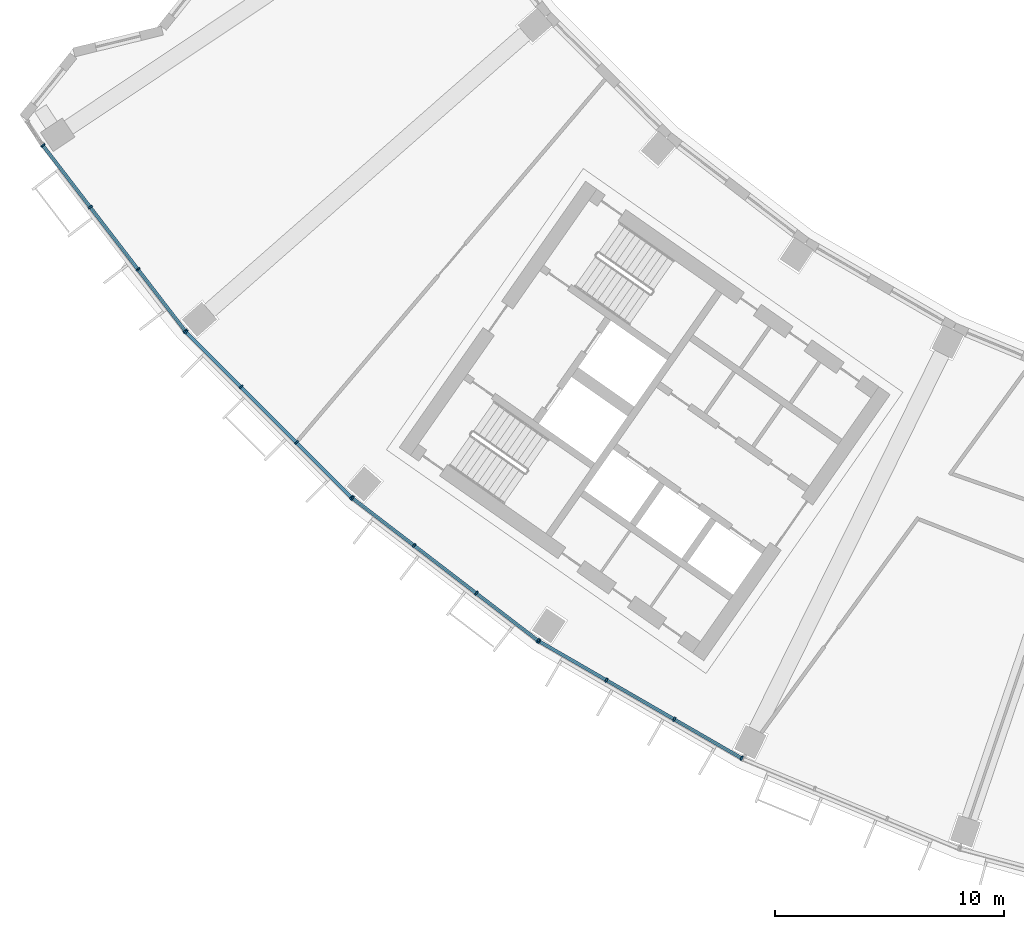
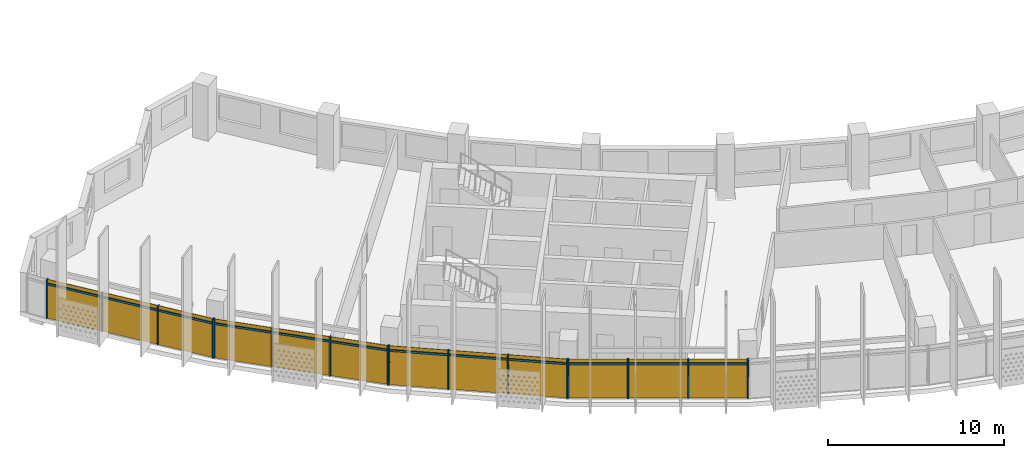
# One storey, part 16 of 30: 28 members, 4 curtain walls.
"""IFC4 building model written with IfcOpenShell, lengths in metres."""

import ifcopenshell
import ifcopenshell.guid

model = None  # the IFC model being written
_history = None  # IfcOwnerHistory: only IFC2X3 demands one
_inside = {}  # id of a spatial element -> (the spatial element, [elements in it])
_under = {}  # id of a project, library or spatial element -> (it, [spatial elements below it])
_declared = {}  # id of a project -> (the project, [libraries it declares])
_typed = {}  # id of a type object -> (the type object, [elements of that type])
_made_of = {}  # id of a material, layer set ... -> (it, [elements and type objects made of it])


def new_model(schema):
    """Start an empty IFC model of exactly this schema.

    Asked for "IFC4X3", IfcOpenShell would pick the latest addendum, in which some entities
    have other attributes; the version numbers below select the first issue.
    IFC2X3 requires an IfcOwnerHistory on every rooted entity: one is made here for all.
    """
    global model, _history
    if schema == "IFC4X3":
        model = ifcopenshell.file(schema_version=(4, 3, 0, 0))
    else:
        model = ifcopenshell.file(schema=schema)
    _inside.clear()
    _under.clear()
    _declared.clear()
    _typed.clear()
    _made_of.clear()
    _history = None
    if model.schema == "IFC2X3":
        org = make("IfcOrganization", Name="unknown")
        user = make(
            "IfcPersonAndOrganization",
            ThePerson=make("IfcPerson", FamilyName="unknown"),
            TheOrganization=org,
        )
        app = make(
            "IfcApplication",
            ApplicationDeveloper=org,
            Version="unknown",
            ApplicationFullName="unknown",
            ApplicationIdentifier="unknown",
        )
        _history = make(
            "IfcOwnerHistory",
            OwningUser=user,
            OwningApplication=app,
            ChangeAction="ADDED",
            CreationDate=0,
        )
    return model


def make(cls, **values):
    """One entity of the class cls with the attributes given. An attribute that is None is left unset."""
    return model.create_entity(
        cls, **{name: value for name, value in values.items() if value is not None}
    )


def rooted(cls, **values):
    """An entity with a GlobalId (a new one), such as an element, a storey or a relation."""
    return make(cls, GlobalId=ifcopenshell.guid.new(), OwnerHistory=_history, **values)


def si_unit(unit_type, name, prefix=None):
    """IfcSIUnit, for example si_unit("LENGTHUNIT", "METRE", prefix="MILLI")."""
    return make("IfcSIUnit", UnitType=unit_type, Prefix=prefix, Name=name)


def assignment(units):
    """IfcUnitAssignment: the units of a project."""
    return None if units is None else make("IfcUnitAssignment", Units=units)


def point(xyz):
    """IfcCartesianPoint."""
    return None if xyz is None else make("IfcCartesianPoint", Coordinates=xyz)


def direction(xyz):
    """IfcDirection."""
    return None if xyz is None else make("IfcDirection", DirectionRatios=xyz)


def frame(location, z_axis=None, x_axis=None):
    """IfcAxis2Placement3D, a coordinate frame: its origin and axes. An axis left out is left unset."""
    return make(
        "IfcAxis2Placement3D",
        Location=point(location),
        Axis=direction(z_axis),
        RefDirection=direction(x_axis),
    )


def frame_2d(location, x_axis=None):
    """IfcAxis2Placement2D, a coordinate frame in the plane: its origin and x axis."""
    return make(
        "IfcAxis2Placement2D", Location=point(location), RefDirection=direction(x_axis)
    )


def origin():
    """The frame at (0, 0, 0) with its axes left unset."""
    return frame((0.0, 0.0, 0.0))


def origin_2d():
    """The frame at (0, 0) in the plane with its x axis left unset."""
    return frame_2d((0.0, 0.0))


def place(relative_to, where):
    """IfcLocalPlacement: puts the frame where relative to a parent placement (None: the world)."""
    return make(
        "IfcLocalPlacement", PlacementRelTo=relative_to, RelativePlacement=where
    )


def context(
    kind, dimensions, precision=None, world=None, true_north=None, identifier=None
):
    """IfcGeometricRepresentationContext, for example the 3D "Model" context."""
    return make(
        "IfcGeometricRepresentationContext",
        ContextIdentifier=identifier,
        ContextType=kind,
        CoordinateSpaceDimension=dimensions,
        Precision=precision,
        WorldCoordinateSystem=world,
        TrueNorth=true_north,
    )


def subcontext(parent, identifier, kind, view, scale=None):
    """IfcGeometricRepresentationSubContext, for example "Body" below "Model"."""
    return make(
        "IfcGeometricRepresentationSubContext",
        ContextIdentifier=identifier,
        ContextType=kind,
        ParentContext=parent,
        TargetScale=scale,
        TargetView=view,
    )


def project(units=None, contexts=None):
    """IfcProject with its units and contexts."""
    return rooted(
        "IfcProject",
        Name="project",
        RepresentationContexts=contexts,
        UnitsInContext=assignment(units),
    )


def spatial(cls, under=None, at=None, **own):
    """A site, building, storey or space (cls), placed at a placement, below another one or the project."""
    s = rooted(cls, ObjectPlacement=at, **own)
    if under is not None:
        _under.setdefault(under.id(), (under, []))[1].append(s)
    return s


def profile(cls, at=None, kind="AREA", **sizes):
    """A parametric profile (cls). Its sizes go by their IFC names, for example OverallWidth=200.0."""
    return make(cls, ProfileType=kind, Position=at, **sizes)


def rectangle(**sizes):
    """IfcRectangleProfileDef."""
    return profile("IfcRectangleProfileDef", **sizes)


def extrude(swept, where, along, depth):
    """IfcExtrudedAreaSolid: the profile swept, set in the frame where, extruded along a direction by depth."""
    return make(
        "IfcExtrudedAreaSolid",
        SweptArea=swept,
        Position=where,
        ExtrudedDirection=direction(along),
        Depth=depth,
    )


def shape(context_of_items, identifier, shape_type, items):
    """IfcShapeRepresentation: the items that make up one representation, for example the "Body"."""
    return make(
        "IfcShapeRepresentation",
        ContextOfItems=context_of_items,
        RepresentationIdentifier=identifier,
        RepresentationType=shape_type,
        Items=items,
    )


def material(Name=None, Category=None):
    """IfcMaterial."""
    return make("IfcMaterial", Name=Name, Category=Category)


def material_profile(
    of_material, cross_section, Name=None, Category=None, Priority=None
):
    """IfcMaterialProfile: a cross section and its material."""
    return make(
        "IfcMaterialProfile",
        Name=Name,
        Material=of_material,
        Profile=cross_section,
        Priority=Priority,
        Category=Category,
    )


def profile_set(profiles, Name=None, composite=None):
    """IfcMaterialProfileSet."""
    return make(
        "IfcMaterialProfileSet",
        Name=Name,
        MaterialProfiles=profiles,
        CompositeProfile=composite,
    )


def made_of(thing, what):
    """Note that an element or type object is made of a material, layer set ...; save() writes the relation."""
    if what is not None:
        _made_of.setdefault(what.id(), (what, []))[1].append(thing)
    return thing


def type_object(cls, material=None, **own):
    """A type object (cls), such as IfcWallType, which elements share."""
    return made_of(rooted(cls, **own), material)


def element(
    cls,
    number,
    at=None,
    inside=None,
    cuts=None,
    type_object=None,
    material=None,
    context=None,
    identifier="Body",
    shape_type=None,
    held_by="IfcProductDefinitionShape",
    body=None,
    shapes=None,
    **own,
):
    """One element of the class cls, such as IfcWall. Its Tag is "e" and its number.

    at: its placement. inside: the storey or other place that contains it. cuts: it is an
    opening in that element (IfcRelVoidsElement). A single representation is given by context,
    identifier, shape_type and body (its items); several are given by shapes. held_by: the class
    of the entity that holds the representations. save() writes the other relations.
    """
    e = rooted(cls, Tag="e%d" % number, ObjectPlacement=at, **own)
    if body is not None:
        shapes = [shape(context, identifier, shape_type, body)]
    if shapes is not None:
        e.Representation = make(held_by, Representations=shapes)
    if inside is not None:
        _inside.setdefault(inside.id(), (inside, []))[1].append(e)
    if cuts is not None:
        rooted(
            "IfcRelVoidsElement", RelatingBuildingElement=cuts, RelatedOpeningElement=e
        )
    if type_object is not None:
        _typed.setdefault(type_object.id(), (type_object, []))[1].append(e)
    return made_of(e, material)


def aggregate(whole, parts):
    """IfcRelAggregates: a whole, such as a stair, and the parts it consists of."""
    return rooted("IfcRelAggregates", RelatingObject=whole, RelatedObjects=parts)


def save(model, path):
    """Write the relations noted so far, then the file.

    IfcRelAggregates (storeys below a building ...), IfcRelContainedInSpatialStructure (elements
    in a storey), IfcRelDefinesByType, IfcRelAssociatesMaterial and IfcRelDeclares: one each for
    every whole, place, type object, material and project.
    """
    for whole, parts in _under.values():
        aggregate(whole, parts)
    for where, things in _inside.values():
        rooted(
            "IfcRelContainedInSpatialStructure",
            RelatedElements=things,
            RelatingStructure=where,
        )
    for kind, things in _typed.values():
        rooted("IfcRelDefinesByType", RelatedObjects=things, RelatingType=kind)
    for what, things in _made_of.values():
        rooted("IfcRelAssociatesMaterial", RelatedObjects=things, RelatingMaterial=what)
    for by, libraries in _declared.values():
        rooted("IfcRelDeclares", RelatingContext=by, RelatedDefinitions=libraries)
    model.write(path)


model = new_model("IFC4")

# Units and contexts
model_context = context("Model", 3, precision=1e-05, world=origin(), true_north=direction((0.0, 1.0)))
body_context = subcontext(model_context, "Body", "Model", "MODEL_VIEW")
ifc_project = project(units=[si_unit("LENGTHUNIT", "METRE"), si_unit("AREAUNIT", "SQUARE_METRE"), si_unit("VOLUMEUNIT", "CUBIC_METRE"), si_unit("PLANEANGLEUNIT", "RADIAN"), si_unit("MASSUNIT", "GRAM", prefix="KILO")], contexts=[model_context])

# Member
ifc_material = material(Name="Aluminium 6063-T6 anodised", Category="aluminium")
ifc_material_profile_1 = material_profile(ifc_material, rectangle(XDim=0.199951171875, YDim=0.070068359375, at=origin_2d()))
ifc_profile_set_1 = profile_set([ifc_material_profile_1], Name="Aluminium 6063-T6 anodised")
member_type_1 = type_object("IfcMemberType", Name="Mullion 70 x 200 aluminium", PredefinedType="MULLION", material=ifc_profile_set_1)
site_placement = place(None, origin())
building_placement = place(site_placement, origin())
storey_placement = place(building_placement, frame((0.0, 0.0, 203.699951171875)))
member_1_placement = place(storey_placement, frame((-65.29443359375, -43.66259765625, 0.0), z_axis=(0.0, 0.0, 1.0), x_axis=(0.793353340291, 0.608761429009, 0.0)))
member_1 = element("IfcMember", 1, at=member_1_placement, type_object=member_type_1, Name="e-cw1-L48-out01/M00", PredefinedType="MULLION", context=body_context, shape_type="SweptSolid", body=[
    extrude(rectangle(XDim=0.199951171875, YDim=0.070068359375, at=origin_2d()), origin(), (0.0, 0.0, 1.0), 2.699951171875),
])

member_2_placement = place(storey_placement, frame((-63.22802734375, -46.35546875, 0.0), z_axis=(0.0, 0.0, 1.0), x_axis=(0.793353340291, 0.608761429009, 0.0)))
member_2 = element("IfcMember", 2, at=member_2_placement, type_object=member_type_1, Name="e-cw1-L48-out01/M01", PredefinedType="MULLION", context=body_context, shape_type="SweptSolid", body=[
    extrude(rectangle(XDim=0.199951171875, YDim=0.070068359375, at=origin_2d()), origin(), (0.0, 0.0, 1.0), 2.699951171875),
])

member_3_placement = place(storey_placement, frame((-61.140380859375, -49.075927734375, 0.0), z_axis=(0.0, 0.0, 1.0), x_axis=(0.793353340291, 0.608761429009, 0.0)))
member_3 = element("IfcMember", 3, at=member_3_placement, type_object=member_type_1, Name="e-cw1-L48-out01/M02", PredefinedType="MULLION", context=body_context, shape_type="SweptSolid", body=[
    extrude(rectangle(XDim=0.199951171875, YDim=0.070068359375, at=origin_2d()), origin(), (0.0, 0.0, 1.0), 2.699951171875),
])

member_4_placement = place(storey_placement, frame((-59.07421875, -51.768798828125, 0.0), z_axis=(0.0, 0.0, 1.0), x_axis=(0.793353340291, 0.608761429009, 0.0)))
member_4 = element("IfcMember", 4, at=member_4_placement, type_object=member_type_1, Name="e-cw1-L48-out01/M03", PredefinedType="MULLION", context=body_context, shape_type="SweptSolid", body=[
    extrude(rectangle(XDim=0.199951171875, YDim=0.070068359375, at=origin_2d()), origin(), (0.0, 0.0, 1.0), 2.699951171875),
])

member_5_placement = place(storey_placement, frame((-59.03662109375, -51.8115234375, 0.0), z_axis=(0.0, 0.0, 1.0), x_axis=(0.707106781187, 0.707106781187, 0.0)))
member_5 = element("IfcMember", 5, at=member_5_placement, type_object=member_type_1, Name="e-cw1-L48-out02/M00", PredefinedType="MULLION", context=body_context, shape_type="SweptSolid", body=[
    extrude(rectangle(XDim=0.199951171875, YDim=0.070068359375, at=origin_2d()), origin(), (0.0, 0.0, 1.0), 2.699951171875),
])

member_6_placement = place(storey_placement, frame((-56.63671875, -54.211669921875, 0.0), z_axis=(0.0, 0.0, 1.0), x_axis=(0.707106781187, 0.707106781187, 0.0)))
member_6 = element("IfcMember", 6, at=member_6_placement, type_object=member_type_1, Name="e-cw1-L48-out02/M01", PredefinedType="MULLION", context=body_context, shape_type="SweptSolid", body=[
    extrude(rectangle(XDim=0.199951171875, YDim=0.070068359375, at=origin_2d()), origin(), (0.0, 0.0, 1.0), 2.699951171875),
])

member_7_placement = place(storey_placement, frame((-54.211669921875, -56.63671875, 0.0), z_axis=(0.0, 0.0, 1.0), x_axis=(0.707106781187, 0.707106781187, 0.0)))
member_7 = element("IfcMember", 7, at=member_7_placement, type_object=member_type_1, Name="e-cw1-L48-out02/M02", PredefinedType="MULLION", context=body_context, shape_type="SweptSolid", body=[
    extrude(rectangle(XDim=0.199951171875, YDim=0.070068359375, at=origin_2d()), origin(), (0.0, 0.0, 1.0), 2.699951171875),
])

member_8_placement = place(storey_placement, frame((-51.8115234375, -59.03662109375, 0.0), z_axis=(0.0, 0.0, 1.0), x_axis=(0.707106781187, 0.707106781187, 0.0)))
member_8 = element("IfcMember", 8, at=member_8_placement, type_object=member_type_1, Name="e-cw1-L48-out02/M03", PredefinedType="MULLION", context=body_context, shape_type="SweptSolid", body=[
    extrude(rectangle(XDim=0.199951171875, YDim=0.070068359375, at=origin_2d()), origin(), (0.0, 0.0, 1.0), 2.699951171875),
])

member_9_placement = place(storey_placement, frame((-51.768798828125, -59.07421875, 0.0), z_axis=(0.0, 0.0, 1.0), x_axis=(0.608761429009, 0.793353340291, 0.0)))
member_9 = element("IfcMember", 9, at=member_9_placement, type_object=member_type_1, Name="e-cw1-L48-out03/M00", PredefinedType="MULLION", context=body_context, shape_type="SweptSolid", body=[
    extrude(rectangle(XDim=0.199951171875, YDim=0.070068359375, at=origin_2d()), origin(), (0.0, 0.0, 1.0), 2.699951171875),
])

member_10_placement = place(storey_placement, frame((-49.075927734375, -61.140380859375, 0.0), z_axis=(0.0, 0.0, 1.0), x_axis=(0.608761429009, 0.793353340291, 0.0)))
member_10 = element("IfcMember", 10, at=member_10_placement, type_object=member_type_1, Name="e-cw1-L48-out03/M01", PredefinedType="MULLION", context=body_context, shape_type="SweptSolid", body=[
    extrude(rectangle(XDim=0.199951171875, YDim=0.070068359375, at=origin_2d()), origin(), (0.0, 0.0, 1.0), 2.699951171875),
])

member_11_placement = place(storey_placement, frame((-46.35546875, -63.22802734375, 0.0), z_axis=(0.0, 0.0, 1.0), x_axis=(0.608761429009, 0.793353340291, 0.0)))
member_11 = element("IfcMember", 11, at=member_11_placement, type_object=member_type_1, Name="e-cw1-L48-out03/M02", PredefinedType="MULLION", context=body_context, shape_type="SweptSolid", body=[
    extrude(rectangle(XDim=0.199951171875, YDim=0.070068359375, at=origin_2d()), origin(), (0.0, 0.0, 1.0), 2.699951171875),
])

member_12_placement = place(storey_placement, frame((-43.66259765625, -65.29443359375, 0.0), z_axis=(0.0, 0.0, 1.0), x_axis=(0.608761429009, 0.793353340291, 0.0)))
member_12 = element("IfcMember", 12, at=member_12_placement, type_object=member_type_1, Name="e-cw1-L48-out03/M03", PredefinedType="MULLION", context=body_context, shape_type="SweptSolid", body=[
    extrude(rectangle(XDim=0.199951171875, YDim=0.070068359375, at=origin_2d()), origin(), (0.0, 0.0, 1.0), 2.699951171875),
])

member_13_placement = place(storey_placement, frame((-43.615234375, -65.325927734375, 0.0), z_axis=(0.0, 0.0, 1.0), x_axis=(0.5, 0.866025403784, 0.0)))
member_13 = element("IfcMember", 13, at=member_13_placement, type_object=member_type_1, Name="e-cw1-L48-out04/M00", PredefinedType="MULLION", context=body_context, shape_type="SweptSolid", body=[
    extrude(rectangle(XDim=0.199951171875, YDim=0.070068359375, at=origin_2d()), origin(), (0.0, 0.0, 1.0), 2.699951171875),
])

member_14_placement = place(storey_placement, frame((-40.67578125, -67.023193359375, 0.0), z_axis=(0.0, 0.0, 1.0), x_axis=(0.5, 0.866025403784, 0.0)))
member_14 = element("IfcMember", 14, at=member_14_placement, type_object=member_type_1, Name="e-cw1-L48-out04/M01", PredefinedType="MULLION", context=body_context, shape_type="SweptSolid", body=[
    extrude(rectangle(XDim=0.199951171875, YDim=0.070068359375, at=origin_2d()), origin(), (0.0, 0.0, 1.0), 2.699951171875),
])

member_15_placement = place(storey_placement, frame((-37.705810546875, -68.73779296875, 0.0), z_axis=(0.0, 0.0, 1.0), x_axis=(0.5, 0.866025403784, 0.0)))
member_15 = element("IfcMember", 15, at=member_15_placement, type_object=member_type_1, Name="e-cw1-L48-out04/M02", PredefinedType="MULLION", context=body_context, shape_type="SweptSolid", body=[
    extrude(rectangle(XDim=0.199951171875, YDim=0.070068359375, at=origin_2d()), origin(), (0.0, 0.0, 1.0), 2.699951171875),
])

member_16_placement = place(storey_placement, frame((-34.766357421875, -70.43505859375, 0.0), z_axis=(0.0, 0.0, 1.0), x_axis=(0.5, 0.866025403784, 0.0)))
member_16 = element("IfcMember", 16, at=member_16_placement, type_object=member_type_1, Name="e-cw1-L48-out04/M03", PredefinedType="MULLION", context=body_context, shape_type="SweptSolid", body=[
    extrude(rectangle(XDim=0.199951171875, YDim=0.070068359375, at=origin_2d()), origin(), (0.0, 0.0, 1.0), 2.699951171875),
])

ifc_material_profile_2 = material_profile(ifc_material, rectangle(XDim=0.139892578125, YDim=0.1201171875, at=origin_2d()))
ifc_profile_set_2 = profile_set([ifc_material_profile_2], Name="Aluminium 6063-T6 anodised")
member_type_2 = type_object("IfcMemberType", Name="Transom 120 x 140 aluminium", PredefinedType="USERDEFINED", material=ifc_profile_set_2)
member_17_placement = place(storey_placement, frame((-65.273193359375, -43.690185546875, 2.400146484375), z_axis=(0.608741393132, -0.793368713958, 0.0), x_axis=(0.793368713958, 0.608741393132, 0.0)))
member_17 = element("IfcMember", 17, at=member_17_placement, type_object=member_type_2, Name="e-cw1-L48-out01/T00", ObjectType="TRANSOM", PredefinedType="USERDEFINED", context=body_context, shape_type="SweptSolid", body=[
    extrude(rectangle(XDim=0.139892578125, YDim=0.1201171875, at=origin_2d()), origin(), (0.0, 0.0, 1.0), 3.324462890625),
])

member_18_placement = place(storey_placement, frame((-63.206787109375, -46.383056640625, 2.400146484375), z_axis=(0.608719861247, -0.793385234627, 0.0), x_axis=(0.793385234627, 0.608719861247, 0.0)))
member_18 = element("IfcMember", 18, at=member_18_placement, type_object=member_type_2, Name="e-cw1-L48-out01/T01", ObjectType="TRANSOM", PredefinedType="USERDEFINED", context=body_context, shape_type="SweptSolid", body=[
    extrude(rectangle(XDim=0.139892578125, YDim=0.1201171875, at=origin_2d()), origin(), (0.0, 0.0, 1.0), 3.359375),
])

member_19_placement = place(storey_placement, frame((-61.119140625, -49.103759765625, 2.400146484375), z_axis=(0.608741393132, -0.793368713958, 0.0), x_axis=(0.793368713958, 0.608741393132, 0.0)))
member_19 = element("IfcMember", 19, at=member_19_placement, type_object=member_type_2, Name="e-cw1-L48-out01/T02", ObjectType="TRANSOM", PredefinedType="USERDEFINED", context=body_context, shape_type="SweptSolid", body=[
    extrude(rectangle(XDim=0.139892578125, YDim=0.1201171875, at=origin_2d()), origin(), (0.0, 0.0, 1.0), 3.324462890625),
])

member_20_placement = place(storey_placement, frame((-59.011962890625, -51.83642578125, 2.400146484375), z_axis=(0.707106781187, -0.707106781187, 0.0), x_axis=(0.707106781187, 0.707106781187, 0.0)))
member_20 = element("IfcMember", 20, at=member_20_placement, type_object=member_type_2, Name="e-cw1-L48-out02/T00", ObjectType="TRANSOM", PredefinedType="USERDEFINED", context=body_context, shape_type="SweptSolid", body=[
    extrude(rectangle(XDim=0.139892578125, YDim=0.1201171875, at=origin_2d()), origin(), (0.0, 0.0, 1.0), 3.32421875),
])

member_21_placement = place(storey_placement, frame((-56.61181640625, -54.236572265625, 2.400146484375), z_axis=(0.707106781187, -0.707106781187, 0.0), x_axis=(0.707106781187, 0.707106781187, 0.0)))
member_21 = element("IfcMember", 21, at=member_21_placement, type_object=member_type_2, Name="e-cw1-L48-out02/T01", ObjectType="TRANSOM", PredefinedType="USERDEFINED", context=body_context, shape_type="SweptSolid", body=[
    extrude(rectangle(XDim=0.139892578125, YDim=0.1201171875, at=origin_2d()), origin(), (0.0, 0.0, 1.0), 3.359130859375),
])

member_22_placement = place(storey_placement, frame((-54.18701171875, -56.661376953125, 2.400146484375), z_axis=(0.707106781187, -0.707106781187, 0.0), x_axis=(0.707106781187, 0.707106781187, 0.0)))
member_22 = element("IfcMember", 22, at=member_22_placement, type_object=member_type_2, Name="e-cw1-L48-out02/T02", ObjectType="TRANSOM", PredefinedType="USERDEFINED", context=body_context, shape_type="SweptSolid", body=[
    extrude(rectangle(XDim=0.139892578125, YDim=0.1201171875, at=origin_2d()), origin(), (0.0, 0.0, 1.0), 3.32421875),
])

member_23_placement = place(storey_placement, frame((-51.7412109375, -59.095458984375, 2.400146484375), z_axis=(0.793368713958, -0.608741393132, 0.0), x_axis=(0.608741393132, 0.793368713958, 0.0)))
member_23 = element("IfcMember", 23, at=member_23_placement, type_object=member_type_2, Name="e-cw1-L48-out03/T00", ObjectType="TRANSOM", PredefinedType="USERDEFINED", context=body_context, shape_type="SweptSolid", body=[
    extrude(rectangle(XDim=0.139892578125, YDim=0.1201171875, at=origin_2d()), origin(), (0.0, 0.0, 1.0), 3.324462890625),
])

member_24_placement = place(storey_placement, frame((-49.04833984375, -61.161865234375, 2.400146484375), z_axis=(0.793385234627, -0.608719861247, 0.0), x_axis=(0.608719861247, 0.793385234627, 0.0)))
member_24 = element("IfcMember", 24, at=member_24_placement, type_object=member_type_2, Name="e-cw1-L48-out03/T01", ObjectType="TRANSOM", PredefinedType="USERDEFINED", context=body_context, shape_type="SweptSolid", body=[
    extrude(rectangle(XDim=0.139892578125, YDim=0.1201171875, at=origin_2d()), origin(), (0.0, 0.0, 1.0), 3.359375),
])

member_25_placement = place(storey_placement, frame((-46.32763671875, -63.24951171875, 2.400146484375), z_axis=(0.793368713958, -0.608741393132, 0.0), x_axis=(0.608741393132, 0.793368713958, 0.0)))
member_25 = element("IfcMember", 25, at=member_25_placement, type_object=member_type_2, Name="e-cw1-L48-out03/T02", ObjectType="TRANSOM", PredefinedType="USERDEFINED", context=body_context, shape_type="SweptSolid", body=[
    extrude(rectangle(XDim=0.139892578125, YDim=0.1201171875, at=origin_2d()), origin(), (0.0, 0.0, 1.0), 3.324462890625),
])

member_26_placement = place(storey_placement, frame((-43.5849609375, -65.343505859375, 2.400146484375), z_axis=(0.866029041019, -0.499993700073, 0.0), x_axis=(0.499993700073, 0.866029041019, 0.0)))
member_26 = element("IfcMember", 26, at=member_26_placement, type_object=member_type_2, Name="e-cw1-L48-out04/T00", ObjectType="TRANSOM", PredefinedType="USERDEFINED", context=body_context, shape_type="SweptSolid", body=[
    extrude(rectangle(XDim=0.139892578125, YDim=0.1201171875, at=origin_2d()), origin(), (0.0, 0.0, 1.0), 3.32421875),
])

member_27_placement = place(storey_placement, frame((-40.6455078125, -67.04052734375, 2.400146484375), z_axis=(0.866034314054, -0.499984566643, 0.0), x_axis=(0.499984566643, 0.866034314054, 0.0)))
member_27 = element("IfcMember", 27, at=member_27_placement, type_object=member_type_2, Name="e-cw1-L48-out04/T01", ObjectType="TRANSOM", PredefinedType="USERDEFINED", context=body_context, shape_type="SweptSolid", body=[
    extrude(rectangle(XDim=0.139892578125, YDim=0.1201171875, at=origin_2d()), origin(), (0.0, 0.0, 1.0), 3.359375),
])

member_28_placement = place(storey_placement, frame((-37.675537109375, -68.75537109375, 2.400146484375), z_axis=(0.866029041019, -0.499993700073, 0.0), x_axis=(0.499993700073, 0.866029041019, 0.0)))
member_28 = element("IfcMember", 28, at=member_28_placement, type_object=member_type_2, Name="e-cw1-L48-out04/T02", ObjectType="TRANSOM", PredefinedType="USERDEFINED", context=body_context, shape_type="SweptSolid", body=[
    extrude(rectangle(XDim=0.139892578125, YDim=0.1201171875, at=origin_2d()), origin(), (0.0, 0.0, 1.0), 3.32421875),
])

# Site, building, storey
site = spatial("IfcSite", under=ifc_project, at=site_placement, CompositionType="ELEMENT")
building = spatial("IfcBuilding", under=site, at=building_placement, Name="Qamariyya Broadcast Tower", CompositionType="ELEMENT")
storey = spatial("IfcBuildingStorey", under=building, at=storey_placement, Name="L48", CompositionType="ELEMENT", Elevation=203.699951171875)

# Curtain wall
curtain_wall_type = type_object("IfcCurtainWallType", Name="Unitised curtain wall, anodised aluminium", PredefinedType="NOTDEFINED", material=ifc_material)
curtain_wall_1_placement = place(storey_placement, origin())
curtain_wall_1 = element("IfcCurtainWall", 29, at=curtain_wall_1_placement, inside=storey, type_object=curtain_wall_type, Name="e-cw1-L48-out01", PredefinedType="NOTDEFINED", context=body_context, shape_type="SweptSolid", body=[
    extrude(rectangle(XDim=3.32421875, YDim=0.031982421875, at=origin_2d()), frame((-64.26123046875, -45.009033203125, 0.0), x_axis=(0.608753833159, -0.793359168734, 0.0)), (0.0, 0.0, 1.0), 2.340087890625),
    extrude(rectangle(XDim=3.32421875, YDim=0.031982421875, at=origin_2d()), frame((-64.26123046875, -45.009033203125, 2.4599609375), x_axis=(0.608753833159, -0.793359168734, 0.0)), (0.0, 0.0, 1.0), 0.239990234375),
    extrude(rectangle(XDim=3.359130859375, YDim=0.031982421875, at=origin_2d()), frame((-62.184326171875, -47.7158203125, 0.0), x_axis=(0.608753833159, -0.793359168734, 0.0)), (0.0, 0.0, 1.0), 2.340087890625),
    extrude(rectangle(XDim=3.359130859375, YDim=0.031982421875, at=origin_2d()), frame((-62.184326171875, -47.7158203125, 2.4599609375), x_axis=(0.608753833159, -0.793359168734, 0.0)), (0.0, 0.0, 1.0), 0.239990234375),
    extrude(rectangle(XDim=3.32421875, YDim=0.031982421875, at=origin_2d()), frame((-60.107421875, -50.42236328125, 0.0), x_axis=(0.608753833159, -0.793359168734, 0.0)), (0.0, 0.0, 1.0), 2.340087890625),
    extrude(rectangle(XDim=3.32421875, YDim=0.031982421875, at=origin_2d()), frame((-60.107421875, -50.42236328125, 2.4599609375), x_axis=(0.608753833159, -0.793359168734, 0.0)), (0.0, 0.0, 1.0), 0.239990234375),
])

aggregate(curtain_wall_1, [member_1, member_2, member_3, member_4, member_17, member_18, member_19])

curtain_wall_2_placement = place(storey_placement, origin())
curtain_wall_2 = element("IfcCurtainWall", 30, at=curtain_wall_2_placement, inside=storey, type_object=curtain_wall_type, Name="e-cw1-L48-out02", PredefinedType="NOTDEFINED", context=body_context, shape_type="SweptSolid", body=[
    extrude(rectangle(XDim=3.32421875, YDim=0.031982421875, at=origin_2d()), frame((-57.836669921875, -53.01171875, 0.0), x_axis=(0.707106781187, -0.707106781187, 0.0)), (0.0, 0.0, 1.0), 2.340087890625),
    extrude(rectangle(XDim=3.32421875, YDim=0.031982421875, at=origin_2d()), frame((-57.836669921875, -53.01171875, 2.4599609375), x_axis=(0.707106781187, -0.707106781187, 0.0)), (0.0, 0.0, 1.0), 0.239990234375),
    extrude(rectangle(XDim=3.359375, YDim=0.031982421875, at=origin_2d()), frame((-55.42431640625, -55.42431640625, 0.0), x_axis=(0.707106781187, -0.707106781187, 0.0)), (0.0, 0.0, 1.0), 2.340087890625),
    extrude(rectangle(XDim=3.359375, YDim=0.031982421875, at=origin_2d()), frame((-55.42431640625, -55.42431640625, 2.4599609375), x_axis=(0.707106781187, -0.707106781187, 0.0)), (0.0, 0.0, 1.0), 0.239990234375),
    extrude(rectangle(XDim=3.32421875, YDim=0.031982421875, at=origin_2d()), frame((-53.01171875, -57.836669921875, 0.0), x_axis=(0.707106781187, -0.707106781187, 0.0)), (0.0, 0.0, 1.0), 2.340087890625),
    extrude(rectangle(XDim=3.32421875, YDim=0.031982421875, at=origin_2d()), frame((-53.01171875, -57.836669921875, 2.4599609375), x_axis=(0.707106781187, -0.707106781187, 0.0)), (0.0, 0.0, 1.0), 0.239990234375),
])

aggregate(curtain_wall_2, [member_5, member_6, member_7, member_8, member_20, member_21, member_22])

curtain_wall_3_placement = place(storey_placement, origin())
curtain_wall_3 = element("IfcCurtainWall", 31, at=curtain_wall_3_placement, inside=storey, type_object=curtain_wall_type, Name="e-cw1-L48-out03", PredefinedType="NOTDEFINED", context=body_context, shape_type="SweptSolid", body=[
    extrude(rectangle(XDim=3.32421875, YDim=0.031982421875, at=origin_2d()), frame((-50.42236328125, -60.107421875, 0.0), x_axis=(0.793359168734, -0.608753833159, 0.0)), (0.0, 0.0, 1.0), 2.340087890625),
    extrude(rectangle(XDim=3.32421875, YDim=0.031982421875, at=origin_2d()), frame((-50.42236328125, -60.107421875, 2.4599609375), x_axis=(0.793359168734, -0.608753833159, 0.0)), (0.0, 0.0, 1.0), 0.239990234375),
    extrude(rectangle(XDim=3.359130859375, YDim=0.031982421875, at=origin_2d()), frame((-47.7158203125, -62.184326171875, 0.0), x_axis=(0.793359168734, -0.608753833159, 0.0)), (0.0, 0.0, 1.0), 2.340087890625),
    extrude(rectangle(XDim=3.359130859375, YDim=0.031982421875, at=origin_2d()), frame((-47.7158203125, -62.184326171875, 2.4599609375), x_axis=(0.793359168734, -0.608753833159, 0.0)), (0.0, 0.0, 1.0), 0.239990234375),
    extrude(rectangle(XDim=3.32421875, YDim=0.031982421875, at=origin_2d()), frame((-45.009033203125, -64.26123046875, 0.0), x_axis=(0.793359168734, -0.608753833159, 0.0)), (0.0, 0.0, 1.0), 2.340087890625),
    extrude(rectangle(XDim=3.32421875, YDim=0.031982421875, at=origin_2d()), frame((-45.009033203125, -64.26123046875, 2.4599609375), x_axis=(0.793359168734, -0.608753833159, 0.0)), (0.0, 0.0, 1.0), 0.239990234375),
])

aggregate(curtain_wall_3, [member_9, member_10, member_11, member_12, member_23, member_24, member_25])

curtain_wall_4_placement = place(storey_placement, origin())
curtain_wall_4 = element("IfcCurtainWall", 32, at=curtain_wall_4_placement, inside=storey, type_object=curtain_wall_type, Name="e-cw1-L48-out04", PredefinedType="NOTDEFINED", context=body_context, shape_type="SweptSolid", body=[
    extrude(rectangle(XDim=3.32421875, YDim=0.031982421875, at=origin_2d()), frame((-42.1455078125, -66.174560546875, 0.0), x_axis=(0.866027904674, -0.499995668308, 0.0)), (0.0, 0.0, 1.0), 2.340087890625),
    extrude(rectangle(XDim=3.32421875, YDim=0.031982421875, at=origin_2d()), frame((-42.1455078125, -66.174560546875, 2.4599609375), x_axis=(0.866027904674, -0.499995668308, 0.0)), (0.0, 0.0, 1.0), 0.239990234375),
    extrude(rectangle(XDim=3.359130859375, YDim=0.031982421875, at=origin_2d()), frame((-39.19091796875, -67.88037109375, 0.0), x_axis=(0.866027904674, -0.499995668308, 0.0)), (0.0, 0.0, 1.0), 2.340087890625),
    extrude(rectangle(XDim=3.359130859375, YDim=0.031982421875, at=origin_2d()), frame((-39.19091796875, -67.88037109375, 2.4599609375), x_axis=(0.866027904674, -0.499995668308, 0.0)), (0.0, 0.0, 1.0), 0.239990234375),
    extrude(rectangle(XDim=3.32421875, YDim=0.031982421875, at=origin_2d()), frame((-36.236083984375, -69.58642578125, 0.0), x_axis=(0.866027904674, -0.499995668308, 0.0)), (0.0, 0.0, 1.0), 2.340087890625),
    extrude(rectangle(XDim=3.32421875, YDim=0.031982421875, at=origin_2d()), frame((-36.236083984375, -69.58642578125, 2.4599609375), x_axis=(0.866027904674, -0.499995668308, 0.0)), (0.0, 0.0, 1.0), 0.239990234375),
])

aggregate(curtain_wall_4, [member_13, member_14, member_15, member_16, member_26, member_27, member_28])

save(model, "model.ifc")
